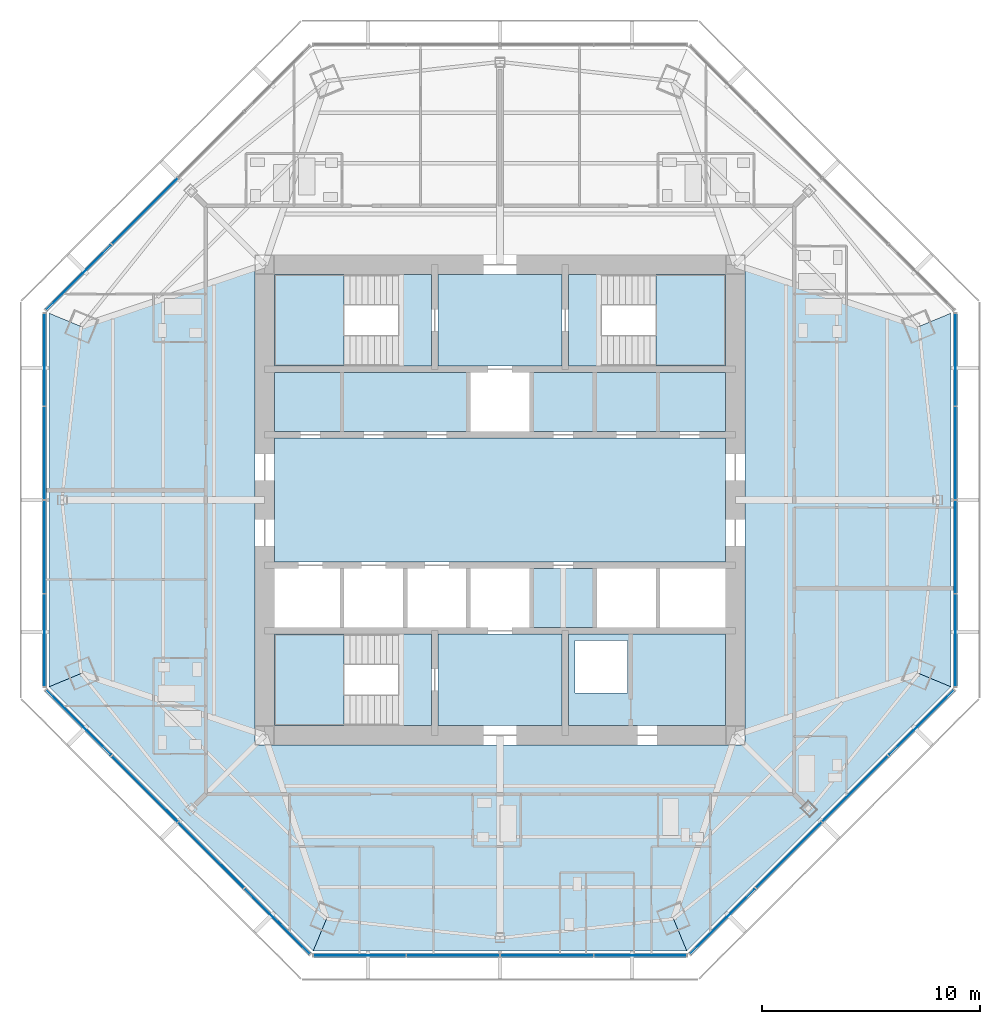
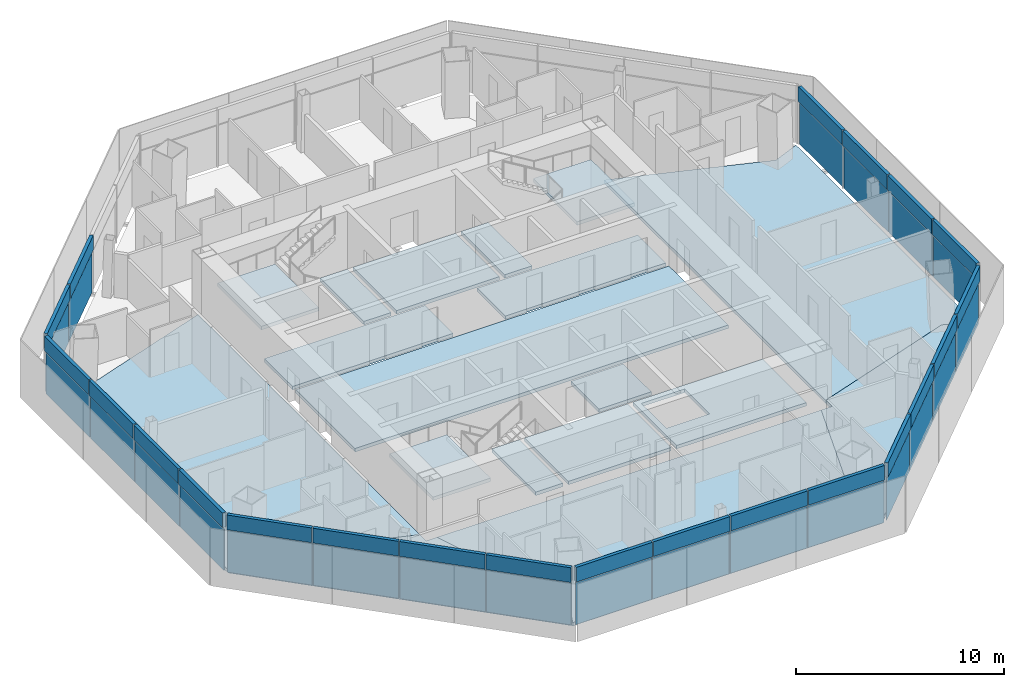
# One storey, part 7 of 14: 44 plates, 18 slabs, 9 elements without a shape of their own.
"""IFC4 building model written with IfcOpenShell, lengths in metres."""

from ifc_helpers import new_model, si_unit, direction, frame, origin, origin_2d, place, context, subcontext, project, spatial, polyline, rectangle, outline, extrude, source, transform, mapped, material, layer, layer_set, type_object, type_shapes, element, aggregate, save


model = new_model("IFC4")

# Units and contexts
model_context = context("Model", 3, precision=1e-05, world=origin(), true_north=direction((0.0, 1.0)))
body_context = subcontext(model_context, "Body", "Model", "MODEL_VIEW")
ifc_project = project(units=[si_unit("LENGTHUNIT", "METRE"), si_unit("AREAUNIT", "SQUARE_METRE"), si_unit("VOLUMEUNIT", "CUBIC_METRE"), si_unit("PLANEANGLEUNIT", "RADIAN"), si_unit("MASSUNIT", "GRAM", prefix="KILO")], contexts=[model_context])

# Site, building, storey
site_placement = place(None, origin())
site = spatial("IfcSite", under=ifc_project, at=site_placement, CompositionType="ELEMENT")
building_placement = place(site_placement, origin())
building = spatial("IfcBuilding", under=site, at=building_placement, Name="Mashrafa Tower", CompositionType="ELEMENT")
storey_placement = place(building_placement, frame((0.0, 0.0, 251.60009765625)))
storey = spatial("IfcBuildingStorey", under=building, at=storey_placement, Name="L60", CompositionType="ELEMENT", Elevation=251.60009765625)

# Slabs
ifc_material_1 = material(Name="Concrete C35/45", Category="concrete")
ifc_layer_1 = layer(ifc_material_1, 0.199951171875)
ifc_layer_set_1 = layer_set([ifc_layer_1], Name="Floor slab 200")
slab_type_1 = type_object("IfcSlabType", Name="Floor slab 200", PredefinedType="FLOOR", material=ifc_layer_set_1)
slab_1_placement = place(storey_placement, frame((0.0, 0.0, -0.2001953125)))
element("IfcSlab", 1, at=slab_1_placement, inside=storey, type_object=slab_type_1, Name="Floor slab L60 east bay", PredefinedType="FLOOR", context=body_context, shape_type="SweptSolid", body=[
    extrude(outline(polyline([(20.697265625, 8.572998046875), (20.697265625, -8.572998046875), (20.697265625, -8.5732421875), (19.224853515625, -7.963134765625), (11.25, -10.6484375), (11.25, 10.6484375), (19.224853515625, 7.963134765625), (20.697265625, 8.5732421875), (20.697265625, 8.572998046875)])), origin(), (0.0, 0.0, 1.0), 0.2001953125),
])
slab_2_placement = place(storey_placement, frame((0.0, 0.0, -0.2001953125)))
element("IfcSlab", 2, at=slab_2_placement, inside=storey, type_object=slab_type_1, Name="Floor slab L60 west bay", PredefinedType="FLOOR", context=body_context, shape_type="SweptSolid", body=[
    extrude(outline(polyline([(-20.697265625, -8.572998046875), (-20.697265625, 8.572998046875), (-20.697265625, 8.5732421875), (-19.224853515625, 7.963134765625), (-11.25, 10.6484375), (-11.25, -10.6484375), (-19.224853515625, -7.963134765625), (-20.697265625, -8.5732421875), (-20.697265625, -8.572998046875)])), origin(), (0.0, 0.0, 1.0), 0.2001953125),
])
slab_3_placement = place(storey_placement, frame((0.0, 0.0, -0.2001953125)))
element("IfcSlab", 3, at=slab_3_placement, inside=storey, type_object=slab_type_1, Name="Floor slab L60 south-west bay", PredefinedType="FLOOR", context=body_context, shape_type="SweptSolid", body=[
    extrude(outline(polyline([(-20.697265625, -8.5732421875), (-19.224853515625, -7.963134765625), (-11.25, -10.6484375), (-11.25, -11.25), (-10.6484375, -11.25), (-7.963134765625, -19.224853515625), (-8.5732421875, -20.697265625), (-20.697265625, -8.5732421875)])), origin(), (0.0, 0.0, 1.0), 0.2001953125),
])
slab_4_placement = place(storey_placement, frame((0.0, 0.0, -0.2001953125)))
element("IfcSlab", 4, at=slab_4_placement, inside=storey, type_object=slab_type_1, Name="Floor slab L60 south bay", PredefinedType="FLOOR", context=body_context, shape_type="SweptSolid", body=[
    extrude(outline(polyline([(-8.572998046875, -20.697265625), (-8.5732421875, -20.697265625), (-7.963134765625, -19.224853515625), (-10.6484375, -11.25), (10.6484375, -11.25), (7.963134765625, -19.224853515625), (8.5732421875, -20.697265625), (8.572998046875, -20.697265625), (-8.572998046875, -20.697265625)])), origin(), (0.0, 0.0, 1.0), 0.2001953125),
])
slab_5_placement = place(storey_placement, frame((0.0, 0.0, -0.2001953125)))
element("IfcSlab", 5, at=slab_5_placement, inside=storey, type_object=slab_type_1, Name="Floor slab L60 south-east bay", PredefinedType="FLOOR", context=body_context, shape_type="SweptSolid", body=[
    extrude(outline(polyline([(8.5732421875, -20.697265625), (7.963134765625, -19.224853515625), (10.6484375, -11.25), (11.25, -11.25), (11.25, -10.6484375), (19.224853515625, -7.963134765625), (20.697265625, -8.5732421875), (8.5732421875, -20.697265625)])), origin(), (0.0, 0.0, 1.0), 0.2001953125),
])
slab_6_placement = place(storey_placement, frame((0.0, 0.0, -0.2001953125)))
element("IfcSlab", 6, at=slab_6_placement, inside=storey, type_object=slab_type_1, Name="Core floor lift hall L60", PredefinedType="FLOOR", context=body_context, shape_type="SweptSolid", body=[
    extrude(outline(polyline([(-10.35009765625, 2.85009765625), (10.35009765625, 2.85009765625), (10.35009765625, -2.85009765625), (-10.35009765625, -2.85009765625), (-10.35009765625, 2.85009765625)])), origin(), (0.0, 0.0, 1.0), 0.2001953125),
])
slab_7_placement = place(storey_placement, frame((0.0, 0.0, -0.2001953125)))
element("IfcSlab", 7, at=slab_7_placement, inside=storey, type_object=slab_type_1, Name="Core floor riser and electrical band L60", PredefinedType="FLOOR", context=body_context, shape_type="SweptSolid", body=[
    extrude(outline(polyline([(10.35009765625, -6.14990234375), (10.35009765625, -10.35009765625), (3.14990234375, -10.35009765625), (3.14990234375, -6.14990234375), (10.35009765625, -6.14990234375)]), holes=[polyline([(3.449951171875, -8.85009765625), (5.85009765625, -8.85009765625), (5.85009765625, -6.449951171875), (3.449951171875, -6.449951171875), (3.449951171875, -8.85009765625)])]), origin(), (0.0, 0.0, 1.0), 0.2001953125),
])
slab_8_placement = place(storey_placement, frame((0.0, 0.0, -0.2001953125)))
element("IfcSlab", 8, at=slab_8_placement, inside=storey, type_object=slab_type_1, Name="Core floor lift cell L60", PredefinedType="FLOOR", context=body_context, shape_type="SweptSolid", body=[
    extrude(outline(polyline([(-10.35009765625, 5.85009765625), (-1.449951171875, 5.85009765625), (-1.449951171875, 3.14990234375), (-10.35009765625, 3.14990234375), (-10.35009765625, 5.85009765625)])), origin(), (0.0, 0.0, 1.0), 0.2001953125),
])
slab_9_placement = place(storey_placement, frame((0.0, 0.0, -0.2001953125)))
element("IfcSlab", 9, at=slab_9_placement, inside=storey, type_object=slab_type_1, Name="Core floor lift cell L60", PredefinedType="FLOOR", context=body_context, shape_type="SweptSolid", body=[
    extrude(outline(polyline([(1.449951171875, 5.85009765625), (10.35009765625, 5.85009765625), (10.35009765625, 3.14990234375), (1.449951171875, 3.14990234375), (1.449951171875, 5.85009765625)])), origin(), (0.0, 0.0, 1.0), 0.2001953125),
])
slab_10_placement = place(storey_placement, frame((0.0, 0.0, -0.2001953125)))
element("IfcSlab", 10, at=slab_10_placement, inside=storey, type_object=slab_type_1, Name="Core floor fire-fighting lobby south L60", PredefinedType="FLOOR", context=body_context, shape_type="SweptSolid", body=[
    extrude(outline(polyline([(2.85009765625, -6.14990234375), (2.85009765625, -10.35009765625), (-2.85009765625, -10.35009765625), (-2.85009765625, -6.14990234375), (2.85009765625, -6.14990234375)])), origin(), (0.0, 0.0, 1.0), 0.2001953125),
])
slab_11_placement = place(storey_placement, frame((0.0, 0.0, -0.2001953125)))
element("IfcSlab", 11, at=slab_11_placement, inside=storey, type_object=slab_type_1, Name="Core floor fire-fighting lobby north L60", PredefinedType="FLOOR", context=body_context, shape_type="SweptSolid", body=[
    extrude(outline(polyline([(-2.85009765625, 10.35009765625), (2.85009765625, 10.35009765625), (2.85009765625, 6.14990234375), (-2.85009765625, 6.14990234375), (-2.85009765625, 10.35009765625)])), origin(), (0.0, 0.0, 1.0), 0.2001953125),
])
slab_12_placement = place(storey_placement, frame((0.0, 0.0, -0.2001953125)))
element("IfcSlab", 12, at=slab_12_placement, inside=storey, type_object=slab_type_1, Name="Core floor lift cell L60", PredefinedType="FLOOR", context=body_context, shape_type="SweptSolid", body=[
    extrude(outline(polyline([(4.35009765625, -3.14990234375), (4.35009765625, -5.85009765625), (1.449951171875, -5.85009765625), (1.449951171875, -3.14990234375), (4.35009765625, -3.14990234375)])), origin(), (0.0, 0.0, 1.0), 0.2001953125),
])

# Stair, slabs
ifc_material_2 = material(Name="Exit stair 1400")
stair_type = type_object("IfcStairType", Name="Exit stair 1400", PredefinedType="HALF_TURN_STAIR", material=ifc_material_2)
stair_1_placement = place(storey_placement, origin())
stair_1 = element("IfcStair", 13, at=stair_1_placement, inside=storey, type_object=stair_type, Name="Stair S1 L60", PredefinedType="HALF_TURN_STAIR")
ifc_material_3 = material(Name="Concrete C32/40", Category="concrete")
ifc_layer_2 = layer(ifc_material_3, 0.199951171875)
ifc_layer_set_2 = layer_set([ifc_layer_2], Name="Stair landing 200")
slab_type_2 = type_object("IfcSlabType", Name="Stair landing 200", PredefinedType="LANDING", material=ifc_layer_set_2)
slab_13_placement = place(storey_placement, frame((0.0, 0.0, -0.2001953125)))
slab_13 = element("IfcSlab", 14, at=slab_13_placement, type_object=slab_type_2, Name="S1 landing 1", PredefinedType="LANDING", context=body_context, shape_type="SweptSolid", body=[
    extrude(outline(polyline([(-4.659912109375, 6.14990234375), (-3.14990234375, 6.14990234375), (-3.14990234375, 10.35009765625), (-4.659912109375, 10.35009765625), (-4.659912109375, 6.14990234375)])), origin(), (0.0, 0.0, 1.0), 0.2001953125),
])
slab_14_placement = place(storey_placement, frame((0.0, 0.0, 1.5)))
slab_14 = element("IfcSlab", 15, at=slab_14_placement, type_object=slab_type_2, Name="S1 landing 2", PredefinedType="LANDING", context=body_context, shape_type="SweptSolid", body=[
    extrude(outline(polyline([(-10.35009765625, 6.14990234375), (-7.159912109375, 6.14990234375), (-7.159912109375, 10.35009765625), (-10.35009765625, 10.35009765625), (-10.35009765625, 6.14990234375)])), origin(), (0.0, 0.0, 1.0), 0.199951171875),
])
aggregate(stair_1, [slab_13, slab_14])

stair_2_placement = place(storey_placement, origin())
stair_2 = element("IfcStair", 16, at=stair_2_placement, inside=storey, type_object=stair_type, Name="Stair S2 L60", PredefinedType="HALF_TURN_STAIR")
slab_15_placement = place(storey_placement, frame((0.0, 0.0, -0.2001953125)))
slab_15 = element("IfcSlab", 17, at=slab_15_placement, type_object=slab_type_2, Name="S2 landing 1", PredefinedType="LANDING", context=body_context, shape_type="SweptSolid", body=[
    extrude(outline(polyline([(3.14990234375, 6.14990234375), (4.659912109375, 6.14990234375), (4.659912109375, 10.35009765625), (3.14990234375, 10.35009765625), (3.14990234375, 6.14990234375)])), origin(), (0.0, 0.0, 1.0), 0.2001953125),
])
slab_16_placement = place(storey_placement, frame((0.0, 0.0, 1.5)))
slab_16 = element("IfcSlab", 18, at=slab_16_placement, type_object=slab_type_2, Name="S2 landing 2", PredefinedType="LANDING", context=body_context, shape_type="SweptSolid", body=[
    extrude(outline(polyline([(7.159912109375, 6.14990234375), (10.35009765625, 6.14990234375), (10.35009765625, 10.35009765625), (7.159912109375, 10.35009765625), (7.159912109375, 6.14990234375)])), origin(), (0.0, 0.0, 1.0), 0.199951171875),
])
aggregate(stair_2, [slab_15, slab_16])

stair_3_placement = place(storey_placement, origin())
stair_3 = element("IfcStair", 19, at=stair_3_placement, inside=storey, type_object=stair_type, Name="Stair S3 L60", PredefinedType="HALF_TURN_STAIR")
slab_17_placement = place(storey_placement, frame((0.0, 0.0, -0.2001953125)))
slab_17 = element("IfcSlab", 20, at=slab_17_placement, type_object=slab_type_2, Name="S3 landing 1", PredefinedType="LANDING", context=body_context, shape_type="SweptSolid", body=[
    extrude(outline(polyline([(-4.659912109375, -10.35009765625), (-3.14990234375, -10.35009765625), (-3.14990234375, -6.14990234375), (-4.659912109375, -6.14990234375), (-4.659912109375, -10.35009765625)])), origin(), (0.0, 0.0, 1.0), 0.2001953125),
])
slab_18_placement = place(storey_placement, frame((0.0, 0.0, 1.5)))
slab_18 = element("IfcSlab", 21, at=slab_18_placement, type_object=slab_type_2, Name="S3 landing 2", PredefinedType="LANDING", context=body_context, shape_type="SweptSolid", body=[
    extrude(outline(polyline([(-10.35009765625, -10.35009765625), (-7.159912109375, -10.35009765625), (-7.159912109375, -6.14990234375), (-10.35009765625, -6.14990234375), (-10.35009765625, -10.35009765625)])), origin(), (0.0, 0.0, 1.0), 0.199951171875),
])
aggregate(stair_3, [slab_17, slab_18])

# Curtain wall, plates
ifc_material_4 = material(Name="Unitised aluminium curtain wall", Category="aluminium")
curtain_wall_type = type_object("IfcCurtainWallType", Name="Apartment curtain wall, zone 3 CW-C 180 deep", PredefinedType="NOTDEFINED", material=ifc_material_4)
curtain_wall_1_placement = place(storey_placement, origin())
curtain_wall_1 = element("IfcCurtainWall", 22, at=curtain_wall_1_placement, inside=storey, type_object=curtain_wall_type, Name="Apartment curtain wall, zone 3 L60 east", PredefinedType="NOTDEFINED")
ifc_material_5 = material(Name="Insulated double glazing, acoustic", Category="glass")
ifc_layer_3 = layer(ifc_material_5, 0.028076171875)
ifc_layer_set_3 = layer_set([ifc_layer_3], Name="Vision panel CW-C 28")
plate_type_1 = type_object("IfcPlateType", Name="Vision panel CW-C 28", PredefinedType="CURTAIN_PANEL", material=ifc_layer_set_3)
shared_shape_1 = source(origin(), body_context, "Body", "SweptSolid", [
    extrude(rectangle(XDim=4.21435546875, YDim=0.028076171875, at=origin_2d()), origin(), (0.0, 0.0, 1.0), 2.46240234375),
])
plate_1_placement = place(storey_placement, frame((20.897216796875, -6.44140625, 0.0), z_axis=(0.0, 0.0, 1.0), x_axis=(0.0, 1.0, 0.0)))
plate_1 = element("IfcPlate", 23, at=plate_1_placement, type_object=plate_type_1, Name="CW-C vision panel 1", PredefinedType="CURTAIN_PANEL", context=body_context, shape_type="MappedRepresentation", body=[
    mapped(shared_shape_1, transform((0.0, 0.0, 0.0))),
])
plate_2_placement = place(storey_placement, frame((20.897216796875, 6.44140625, 0.0), z_axis=(0.0, 0.0, 1.0), x_axis=(0.0, 1.0, 0.0)))
plate_2 = element("IfcPlate", 24, at=plate_2_placement, type_object=plate_type_1, Name="CW-C vision panel 4", PredefinedType="CURTAIN_PANEL", context=body_context, shape_type="MappedRepresentation", body=[
    mapped(shared_shape_1, transform((0.0, 0.0, 0.0))),
])

# Curtain wall, plate
curtain_wall_2_placement = place(storey_placement, origin())
curtain_wall_2 = element("IfcCurtainWall", 25, at=curtain_wall_2_placement, inside=storey, type_object=curtain_wall_type, Name="Apartment curtain wall, zone 3 L60 north-west", PredefinedType="NOTDEFINED")
plate_3_placement = place(storey_placement, frame((-19.33154296875, 10.2216796875, 0.0), z_axis=(0.0, 0.0, 1.0), x_axis=(-0.707106781187, -0.707106781187, 0.0)))
plate_3 = element("IfcPlate", 26, at=plate_3_placement, type_object=plate_type_1, Name="CW-C vision panel 4", PredefinedType="CURTAIN_PANEL", context=body_context, shape_type="MappedRepresentation", body=[
    mapped(shared_shape_1, transform((0.0, 0.0, 0.0))),
])

# Curtain wall, plates
curtain_wall_3_placement = place(storey_placement, origin())
curtain_wall_3 = element("IfcCurtainWall", 27, at=curtain_wall_3_placement, inside=storey, type_object=curtain_wall_type, Name="Apartment curtain wall, zone 3 L60 west", PredefinedType="NOTDEFINED")
plate_4_placement = place(storey_placement, frame((-20.897216796875, 6.44140625, 0.0), z_axis=(0.0, 0.0, 1.0), x_axis=(0.0, -1.0, 0.0)))
plate_4 = element("IfcPlate", 28, at=plate_4_placement, type_object=plate_type_1, Name="CW-C vision panel 1", PredefinedType="CURTAIN_PANEL", context=body_context, shape_type="MappedRepresentation", body=[
    mapped(shared_shape_1, transform((0.0, 0.0, 0.0))),
])
plate_5_placement = place(storey_placement, frame((-20.897216796875, -6.44140625, 0.0), z_axis=(0.0, 0.0, 1.0), x_axis=(0.0, -1.0, 0.0)))
plate_5 = element("IfcPlate", 29, at=plate_5_placement, type_object=plate_type_1, Name="CW-C vision panel 4", PredefinedType="CURTAIN_PANEL", context=body_context, shape_type="MappedRepresentation", body=[
    mapped(shared_shape_1, transform((0.0, 0.0, 0.0))),
])

curtain_wall_4_placement = place(storey_placement, origin())
curtain_wall_4 = element("IfcCurtainWall", 30, at=curtain_wall_4_placement, inside=storey, type_object=curtain_wall_type, Name="Apartment curtain wall, zone 3 L60 south-west", PredefinedType="NOTDEFINED")
plate_6_placement = place(storey_placement, frame((-19.33154296875, -10.2216796875, 0.0), z_axis=(0.0, 0.0, 1.0), x_axis=(0.707106781187, -0.707106781187, 0.0)))
plate_6 = element("IfcPlate", 31, at=plate_6_placement, type_object=plate_type_1, Name="CW-C vision panel 1", PredefinedType="CURTAIN_PANEL", context=body_context, shape_type="MappedRepresentation", body=[
    mapped(shared_shape_1, transform((0.0, 0.0, 0.0))),
])
plate_7_placement = place(storey_placement, frame((-10.2216796875, -19.33154296875, 0.0), z_axis=(0.0, 0.0, 1.0), x_axis=(0.707106781187, -0.707106781187, 0.0)))
plate_7 = element("IfcPlate", 32, at=plate_7_placement, type_object=plate_type_1, Name="CW-C vision panel 4", PredefinedType="CURTAIN_PANEL", context=body_context, shape_type="MappedRepresentation", body=[
    mapped(shared_shape_1, transform((0.0, 0.0, 0.0))),
])

curtain_wall_5_placement = place(storey_placement, origin())
curtain_wall_5 = element("IfcCurtainWall", 33, at=curtain_wall_5_placement, inside=storey, type_object=curtain_wall_type, Name="Apartment curtain wall, zone 3 L60 south", PredefinedType="NOTDEFINED")
plate_8_placement = place(storey_placement, frame((-6.44140625, -20.897216796875, 0.0), z_axis=(0.0, 0.0, 1.0), x_axis=(1.0, 0.0, 0.0)))
plate_8 = element("IfcPlate", 34, at=plate_8_placement, type_object=plate_type_1, Name="CW-C vision panel 1", PredefinedType="CURTAIN_PANEL", context=body_context, shape_type="MappedRepresentation", body=[
    mapped(shared_shape_1, transform((0.0, 0.0, 0.0))),
])
plate_9_placement = place(storey_placement, frame((6.44140625, -20.897216796875, 0.0), z_axis=(0.0, 0.0, 1.0), x_axis=(1.0, 0.0, 0.0)))
plate_9 = element("IfcPlate", 35, at=plate_9_placement, type_object=plate_type_1, Name="CW-C vision panel 4", PredefinedType="CURTAIN_PANEL", context=body_context, shape_type="MappedRepresentation", body=[
    mapped(shared_shape_1, transform((0.0, 0.0, 0.0))),
])

curtain_wall_6_placement = place(storey_placement, origin())
curtain_wall_6 = element("IfcCurtainWall", 36, at=curtain_wall_6_placement, inside=storey, type_object=curtain_wall_type, Name="Apartment curtain wall, zone 3 L60 south-east", PredefinedType="NOTDEFINED")
plate_10_placement = place(storey_placement, frame((10.2216796875, -19.33154296875, 0.0), z_axis=(0.0, 0.0, 1.0), x_axis=(0.707106781187, 0.707106781187, 0.0)))
plate_10 = element("IfcPlate", 37, at=plate_10_placement, type_object=plate_type_1, Name="CW-C vision panel 1", PredefinedType="CURTAIN_PANEL", context=body_context, shape_type="MappedRepresentation", body=[
    mapped(shared_shape_1, transform((0.0, 0.0, 0.0))),
])
plate_11_placement = place(storey_placement, frame((19.33154296875, -10.2216796875, 0.0), z_axis=(0.0, 0.0, 1.0), x_axis=(0.707106781187, 0.707106781187, 0.0)))
plate_11 = element("IfcPlate", 38, at=plate_11_placement, type_object=plate_type_1, Name="CW-C vision panel 4", PredefinedType="CURTAIN_PANEL", context=body_context, shape_type="MappedRepresentation", body=[
    mapped(shared_shape_1, transform((0.0, 0.0, 0.0))),
])

# Plate
ifc_material_6 = material(Name="Insulated bronze aluminium spandrel panel", Category="aluminium")
ifc_layer_4 = layer(ifc_material_6, 0.179931640625)
ifc_layer_set_4 = layer_set([ifc_layer_4], Name="Spandrel panel CW-C 180")
plate_type_2 = type_object("IfcPlateType", Name="Spandrel panel CW-C 180", PredefinedType="CURTAIN_PANEL", material=ifc_layer_set_4)
shared_shape_2 = source(origin(), body_context, "Body", "SweptSolid", [
    extrude(rectangle(XDim=4.21435546875, YDim=0.179931640625, at=origin_2d()), origin(), (0.0, 0.0, 1.0), 0.862548828125),
])
plate_12_placement = place(storey_placement, frame((20.897216796875, -6.44140625, 2.53759765625), z_axis=(0.0, 0.0, 1.0), x_axis=(0.0, 1.0, 0.0)))
plate_12 = element("IfcPlate", 39, at=plate_12_placement, type_object=plate_type_2, Name="CW-C spandrel panel 1", PredefinedType="CURTAIN_PANEL", context=body_context, shape_type="MappedRepresentation", body=[
    mapped(shared_shape_2, transform((0.0, 0.0, 0.0))),
])

plate_13_placement = place(storey_placement, frame((20.897216796875, 6.44140625, 2.53759765625), z_axis=(0.0, 0.0, 1.0), x_axis=(0.0, 1.0, 0.0)))
plate_13 = element("IfcPlate", 40, at=plate_13_placement, type_object=plate_type_2, Name="CW-C spandrel panel 4", PredefinedType="CURTAIN_PANEL", context=body_context, shape_type="MappedRepresentation", body=[
    mapped(shared_shape_2, transform((0.0, 0.0, 0.0))),
])

plate_14_placement = place(storey_placement, frame((-19.33154296875, 10.2216796875, 2.53759765625), z_axis=(0.0, 0.0, 1.0), x_axis=(-0.707106781187, -0.707106781187, 0.0)))
plate_14 = element("IfcPlate", 41, at=plate_14_placement, type_object=plate_type_2, Name="CW-C spandrel panel 4", PredefinedType="CURTAIN_PANEL", context=body_context, shape_type="MappedRepresentation", body=[
    mapped(shared_shape_2, transform((0.0, 0.0, 0.0))),
])

plate_15_placement = place(storey_placement, frame((-20.897216796875, 6.44140625, 2.53759765625), z_axis=(0.0, 0.0, 1.0), x_axis=(0.0, -1.0, 0.0)))
plate_15 = element("IfcPlate", 42, at=plate_15_placement, type_object=plate_type_2, Name="CW-C spandrel panel 1", PredefinedType="CURTAIN_PANEL", context=body_context, shape_type="MappedRepresentation", body=[
    mapped(shared_shape_2, transform((0.0, 0.0, 0.0))),
])

plate_16_placement = place(storey_placement, frame((-20.897216796875, -6.44140625, 2.53759765625), z_axis=(0.0, 0.0, 1.0), x_axis=(0.0, -1.0, 0.0)))
plate_16 = element("IfcPlate", 43, at=plate_16_placement, type_object=plate_type_2, Name="CW-C spandrel panel 4", PredefinedType="CURTAIN_PANEL", context=body_context, shape_type="MappedRepresentation", body=[
    mapped(shared_shape_2, transform((0.0, 0.0, 0.0))),
])

plate_17_placement = place(storey_placement, frame((-19.33154296875, -10.2216796875, 2.53759765625), z_axis=(0.0, 0.0, 1.0), x_axis=(0.707106781187, -0.707106781187, 0.0)))
plate_17 = element("IfcPlate", 44, at=plate_17_placement, type_object=plate_type_2, Name="CW-C spandrel panel 1", PredefinedType="CURTAIN_PANEL", context=body_context, shape_type="MappedRepresentation", body=[
    mapped(shared_shape_2, transform((0.0, 0.0, 0.0))),
])

plate_18_placement = place(storey_placement, frame((-10.2216796875, -19.33154296875, 2.53759765625), z_axis=(0.0, 0.0, 1.0), x_axis=(0.707106781187, -0.707106781187, 0.0)))
plate_18 = element("IfcPlate", 45, at=plate_18_placement, type_object=plate_type_2, Name="CW-C spandrel panel 4", PredefinedType="CURTAIN_PANEL", context=body_context, shape_type="MappedRepresentation", body=[
    mapped(shared_shape_2, transform((0.0, 0.0, 0.0))),
])

plate_19_placement = place(storey_placement, frame((-6.44140625, -20.897216796875, 2.53759765625), z_axis=(0.0, 0.0, 1.0), x_axis=(1.0, 0.0, 0.0)))
plate_19 = element("IfcPlate", 46, at=plate_19_placement, type_object=plate_type_2, Name="CW-C spandrel panel 1", PredefinedType="CURTAIN_PANEL", context=body_context, shape_type="MappedRepresentation", body=[
    mapped(shared_shape_2, transform((0.0, 0.0, 0.0))),
])

plate_20_placement = place(storey_placement, frame((6.44140625, -20.897216796875, 2.53759765625), z_axis=(0.0, 0.0, 1.0), x_axis=(1.0, 0.0, 0.0)))
plate_20 = element("IfcPlate", 47, at=plate_20_placement, type_object=plate_type_2, Name="CW-C spandrel panel 4", PredefinedType="CURTAIN_PANEL", context=body_context, shape_type="MappedRepresentation", body=[
    mapped(shared_shape_2, transform((0.0, 0.0, 0.0))),
])

plate_21_placement = place(storey_placement, frame((10.2216796875, -19.33154296875, 2.53759765625), z_axis=(0.0, 0.0, 1.0), x_axis=(0.707106781187, 0.707106781187, 0.0)))
plate_21 = element("IfcPlate", 48, at=plate_21_placement, type_object=plate_type_2, Name="CW-C spandrel panel 1", PredefinedType="CURTAIN_PANEL", context=body_context, shape_type="MappedRepresentation", body=[
    mapped(shared_shape_2, transform((0.0, 0.0, 0.0))),
])

plate_22_placement = place(storey_placement, frame((19.33154296875, -10.2216796875, 2.53759765625), z_axis=(0.0, 0.0, 1.0), x_axis=(0.707106781187, 0.707106781187, 0.0)))
plate_22 = element("IfcPlate", 49, at=plate_22_placement, type_object=plate_type_2, Name="CW-C spandrel panel 4", PredefinedType="CURTAIN_PANEL", context=body_context, shape_type="MappedRepresentation", body=[
    mapped(shared_shape_2, transform((0.0, 0.0, 0.0))),
])

shared_shape_3 = source(origin(), body_context, "Body", "SweptSolid", [
    extrude(rectangle(XDim=4.244384765625, YDim=0.028076171875, at=origin_2d()), origin(), (0.0, 0.0, 1.0), 2.46240234375),
])
type_shapes(plate_type_1, [shared_shape_1, shared_shape_3])
plate_23_placement = place(storey_placement, frame((20.897216796875, -2.152099609375, 0.0), z_axis=(0.0, 0.0, 1.0), x_axis=(0.0, 1.0, 0.0)))
plate_23 = element("IfcPlate", 50, at=plate_23_placement, type_object=plate_type_1, Name="CW-C vision panel 2", PredefinedType="CURTAIN_PANEL", context=body_context, shape_type="MappedRepresentation", body=[
    mapped(shared_shape_3, transform((0.0, 0.0, 0.0))),
])

plate_24_placement = place(storey_placement, frame((20.897216796875, 2.152099609375, 0.0), z_axis=(0.0, 0.0, 1.0), x_axis=(0.0, 1.0, 0.0)))
plate_24 = element("IfcPlate", 51, at=plate_24_placement, type_object=plate_type_1, Name="CW-C vision panel 3", PredefinedType="CURTAIN_PANEL", context=body_context, shape_type="MappedRepresentation", body=[
    mapped(shared_shape_3, transform((0.0, 0.0, 0.0))),
])

plate_25_placement = place(storey_placement, frame((-16.29833984375, 13.2548828125, 0.0), z_axis=(0.0, 0.0, 1.0), x_axis=(-0.707106781187, -0.707106781187, 0.0)))
plate_25 = element("IfcPlate", 52, at=plate_25_placement, type_object=plate_type_1, Name="CW-C vision panel 3", PredefinedType="CURTAIN_PANEL", context=body_context, shape_type="MappedRepresentation", body=[
    mapped(shared_shape_3, transform((0.0, 0.0, 0.0))),
])

plate_26_placement = place(storey_placement, frame((-20.897216796875, 2.152099609375, 0.0), z_axis=(0.0, 0.0, 1.0), x_axis=(0.0, -1.0, 0.0)))
plate_26 = element("IfcPlate", 53, at=plate_26_placement, type_object=plate_type_1, Name="CW-C vision panel 2", PredefinedType="CURTAIN_PANEL", context=body_context, shape_type="MappedRepresentation", body=[
    mapped(shared_shape_3, transform((0.0, 0.0, 0.0))),
])

plate_27_placement = place(storey_placement, frame((-20.897216796875, -2.152099609375, 0.0), z_axis=(0.0, 0.0, 1.0), x_axis=(0.0, -1.0, 0.0)))
plate_27 = element("IfcPlate", 54, at=plate_27_placement, type_object=plate_type_1, Name="CW-C vision panel 3", PredefinedType="CURTAIN_PANEL", context=body_context, shape_type="MappedRepresentation", body=[
    mapped(shared_shape_3, transform((0.0, 0.0, 0.0))),
])

plate_28_placement = place(storey_placement, frame((-16.29833984375, -13.2548828125, 0.0), z_axis=(0.0, 0.0, 1.0), x_axis=(0.707106781187, -0.707106781187, 0.0)))
plate_28 = element("IfcPlate", 55, at=plate_28_placement, type_object=plate_type_1, Name="CW-C vision panel 2", PredefinedType="CURTAIN_PANEL", context=body_context, shape_type="MappedRepresentation", body=[
    mapped(shared_shape_3, transform((0.0, 0.0, 0.0))),
])

plate_29_placement = place(storey_placement, frame((-13.2548828125, -16.29833984375, 0.0), z_axis=(0.0, 0.0, 1.0), x_axis=(0.707106781187, -0.707106781187, 0.0)))
plate_29 = element("IfcPlate", 56, at=plate_29_placement, type_object=plate_type_1, Name="CW-C vision panel 3", PredefinedType="CURTAIN_PANEL", context=body_context, shape_type="MappedRepresentation", body=[
    mapped(shared_shape_3, transform((0.0, 0.0, 0.0))),
])

plate_30_placement = place(storey_placement, frame((-2.152099609375, -20.897216796875, 0.0), z_axis=(0.0, 0.0, 1.0), x_axis=(1.0, 0.0, 0.0)))
plate_30 = element("IfcPlate", 57, at=plate_30_placement, type_object=plate_type_1, Name="CW-C vision panel 2", PredefinedType="CURTAIN_PANEL", context=body_context, shape_type="MappedRepresentation", body=[
    mapped(shared_shape_3, transform((0.0, 0.0, 0.0))),
])

plate_31_placement = place(storey_placement, frame((2.152099609375, -20.897216796875, 0.0), z_axis=(0.0, 0.0, 1.0), x_axis=(1.0, 0.0, 0.0)))
plate_31 = element("IfcPlate", 58, at=plate_31_placement, type_object=plate_type_1, Name="CW-C vision panel 3", PredefinedType="CURTAIN_PANEL", context=body_context, shape_type="MappedRepresentation", body=[
    mapped(shared_shape_3, transform((0.0, 0.0, 0.0))),
])

plate_32_placement = place(storey_placement, frame((13.2548828125, -16.29833984375, 0.0), z_axis=(0.0, 0.0, 1.0), x_axis=(0.707106781187, 0.707106781187, 0.0)))
plate_32 = element("IfcPlate", 59, at=plate_32_placement, type_object=plate_type_1, Name="CW-C vision panel 2", PredefinedType="CURTAIN_PANEL", context=body_context, shape_type="MappedRepresentation", body=[
    mapped(shared_shape_3, transform((0.0, 0.0, 0.0))),
])

plate_33_placement = place(storey_placement, frame((16.29833984375, -13.2548828125, 0.0), z_axis=(0.0, 0.0, 1.0), x_axis=(0.707106781187, 0.707106781187, 0.0)))
plate_33 = element("IfcPlate", 60, at=plate_33_placement, type_object=plate_type_1, Name="CW-C vision panel 3", PredefinedType="CURTAIN_PANEL", context=body_context, shape_type="MappedRepresentation", body=[
    mapped(shared_shape_3, transform((0.0, 0.0, 0.0))),
])

shared_shape_4 = source(origin(), body_context, "Body", "SweptSolid", [
    extrude(rectangle(XDim=4.244384765625, YDim=0.179931640625, at=origin_2d()), origin(), (0.0, 0.0, 1.0), 0.862548828125),
])
type_shapes(plate_type_2, [shared_shape_2, shared_shape_4])
plate_34_placement = place(storey_placement, frame((20.897216796875, -2.152099609375, 2.53759765625), z_axis=(0.0, 0.0, 1.0), x_axis=(0.0, 1.0, 0.0)))
plate_34 = element("IfcPlate", 61, at=plate_34_placement, type_object=plate_type_2, Name="CW-C spandrel panel 2", PredefinedType="CURTAIN_PANEL", context=body_context, shape_type="MappedRepresentation", body=[
    mapped(shared_shape_4, transform((0.0, 0.0, 0.0))),
])

plate_35_placement = place(storey_placement, frame((20.897216796875, 2.152099609375, 2.53759765625), z_axis=(0.0, 0.0, 1.0), x_axis=(0.0, 1.0, 0.0)))
plate_35 = element("IfcPlate", 62, at=plate_35_placement, type_object=plate_type_2, Name="CW-C spandrel panel 3", PredefinedType="CURTAIN_PANEL", context=body_context, shape_type="MappedRepresentation", body=[
    mapped(shared_shape_4, transform((0.0, 0.0, 0.0))),
])

aggregate(curtain_wall_1, [plate_1, plate_12, plate_23, plate_34, plate_24, plate_35, plate_2, plate_13])

plate_36_placement = place(storey_placement, frame((-16.29833984375, 13.2548828125, 2.53759765625), z_axis=(0.0, 0.0, 1.0), x_axis=(-0.707106781187, -0.707106781187, 0.0)))
plate_36 = element("IfcPlate", 63, at=plate_36_placement, type_object=plate_type_2, Name="CW-C spandrel panel 3", PredefinedType="CURTAIN_PANEL", context=body_context, shape_type="MappedRepresentation", body=[
    mapped(shared_shape_4, transform((0.0, 0.0, 0.0))),
])

aggregate(curtain_wall_2, [plate_25, plate_36, plate_3, plate_14])

plate_37_placement = place(storey_placement, frame((-20.897216796875, 2.152099609375, 2.53759765625), z_axis=(0.0, 0.0, 1.0), x_axis=(0.0, -1.0, 0.0)))
plate_37 = element("IfcPlate", 64, at=plate_37_placement, type_object=plate_type_2, Name="CW-C spandrel panel 2", PredefinedType="CURTAIN_PANEL", context=body_context, shape_type="MappedRepresentation", body=[
    mapped(shared_shape_4, transform((0.0, 0.0, 0.0))),
])

plate_38_placement = place(storey_placement, frame((-20.897216796875, -2.152099609375, 2.53759765625), z_axis=(0.0, 0.0, 1.0), x_axis=(0.0, -1.0, 0.0)))
plate_38 = element("IfcPlate", 65, at=plate_38_placement, type_object=plate_type_2, Name="CW-C spandrel panel 3", PredefinedType="CURTAIN_PANEL", context=body_context, shape_type="MappedRepresentation", body=[
    mapped(shared_shape_4, transform((0.0, 0.0, 0.0))),
])

aggregate(curtain_wall_3, [plate_4, plate_15, plate_26, plate_37, plate_27, plate_38, plate_5, plate_16])

plate_39_placement = place(storey_placement, frame((-16.29833984375, -13.2548828125, 2.53759765625), z_axis=(0.0, 0.0, 1.0), x_axis=(0.707106781187, -0.707106781187, 0.0)))
plate_39 = element("IfcPlate", 66, at=plate_39_placement, type_object=plate_type_2, Name="CW-C spandrel panel 2", PredefinedType="CURTAIN_PANEL", context=body_context, shape_type="MappedRepresentation", body=[
    mapped(shared_shape_4, transform((0.0, 0.0, 0.0))),
])

plate_40_placement = place(storey_placement, frame((-13.2548828125, -16.29833984375, 2.53759765625), z_axis=(0.0, 0.0, 1.0), x_axis=(0.707106781187, -0.707106781187, 0.0)))
plate_40 = element("IfcPlate", 67, at=plate_40_placement, type_object=plate_type_2, Name="CW-C spandrel panel 3", PredefinedType="CURTAIN_PANEL", context=body_context, shape_type="MappedRepresentation", body=[
    mapped(shared_shape_4, transform((0.0, 0.0, 0.0))),
])

aggregate(curtain_wall_4, [plate_6, plate_17, plate_28, plate_39, plate_29, plate_40, plate_7, plate_18])

plate_41_placement = place(storey_placement, frame((-2.152099609375, -20.897216796875, 2.53759765625), z_axis=(0.0, 0.0, 1.0), x_axis=(1.0, 0.0, 0.0)))
plate_41 = element("IfcPlate", 68, at=plate_41_placement, type_object=plate_type_2, Name="CW-C spandrel panel 2", PredefinedType="CURTAIN_PANEL", context=body_context, shape_type="MappedRepresentation", body=[
    mapped(shared_shape_4, transform((0.0, 0.0, 0.0))),
])

plate_42_placement = place(storey_placement, frame((2.152099609375, -20.897216796875, 2.53759765625), z_axis=(0.0, 0.0, 1.0), x_axis=(1.0, 0.0, 0.0)))
plate_42 = element("IfcPlate", 69, at=plate_42_placement, type_object=plate_type_2, Name="CW-C spandrel panel 3", PredefinedType="CURTAIN_PANEL", context=body_context, shape_type="MappedRepresentation", body=[
    mapped(shared_shape_4, transform((0.0, 0.0, 0.0))),
])

aggregate(curtain_wall_5, [plate_8, plate_19, plate_30, plate_41, plate_31, plate_42, plate_9, plate_20])

plate_43_placement = place(storey_placement, frame((13.2548828125, -16.29833984375, 2.53759765625), z_axis=(0.0, 0.0, 1.0), x_axis=(0.707106781187, 0.707106781187, 0.0)))
plate_43 = element("IfcPlate", 70, at=plate_43_placement, type_object=plate_type_2, Name="CW-C spandrel panel 2", PredefinedType="CURTAIN_PANEL", context=body_context, shape_type="MappedRepresentation", body=[
    mapped(shared_shape_4, transform((0.0, 0.0, 0.0))),
])

plate_44_placement = place(storey_placement, frame((16.29833984375, -13.2548828125, 2.53759765625), z_axis=(0.0, 0.0, 1.0), x_axis=(0.707106781187, 0.707106781187, 0.0)))
plate_44 = element("IfcPlate", 71, at=plate_44_placement, type_object=plate_type_2, Name="CW-C spandrel panel 3", PredefinedType="CURTAIN_PANEL", context=body_context, shape_type="MappedRepresentation", body=[
    mapped(shared_shape_4, transform((0.0, 0.0, 0.0))),
])

aggregate(curtain_wall_6, [plate_10, plate_21, plate_32, plate_43, plate_33, plate_44, plate_11, plate_22])

save(model, "model.ifc")
